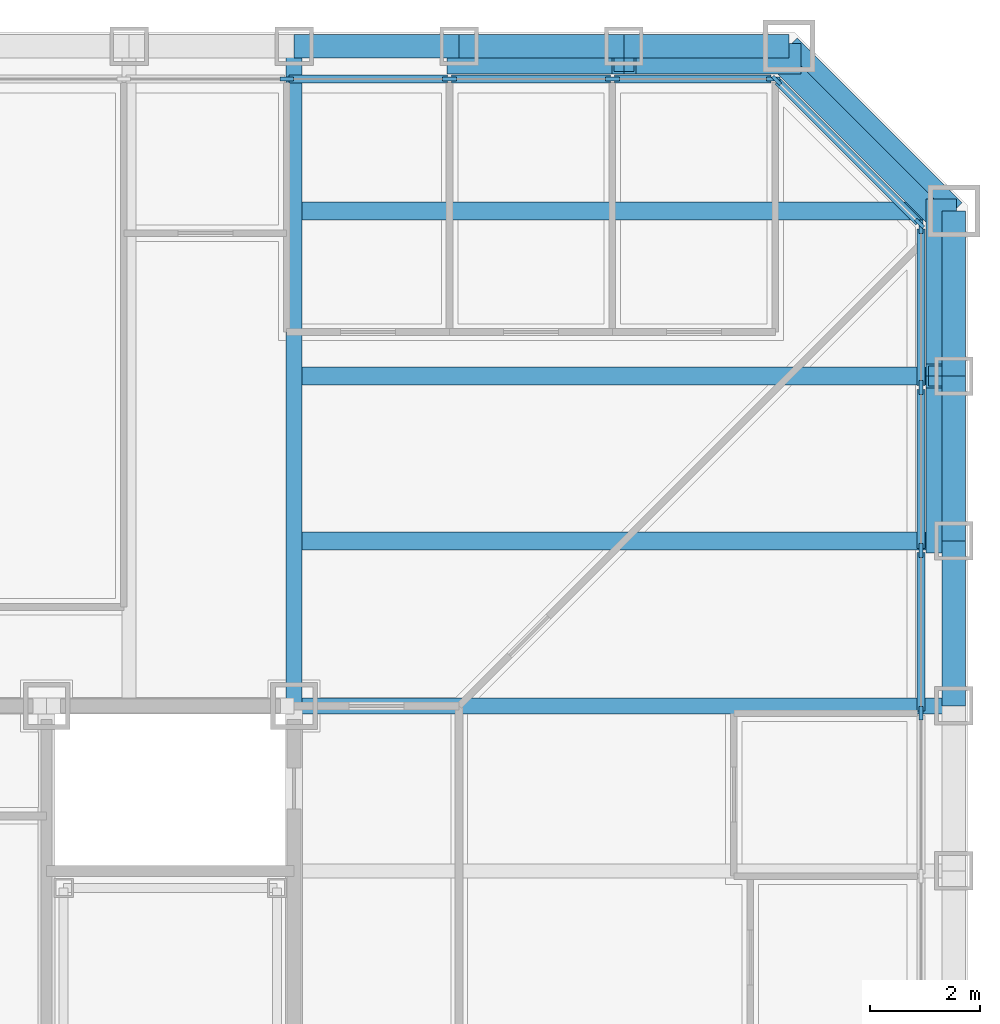
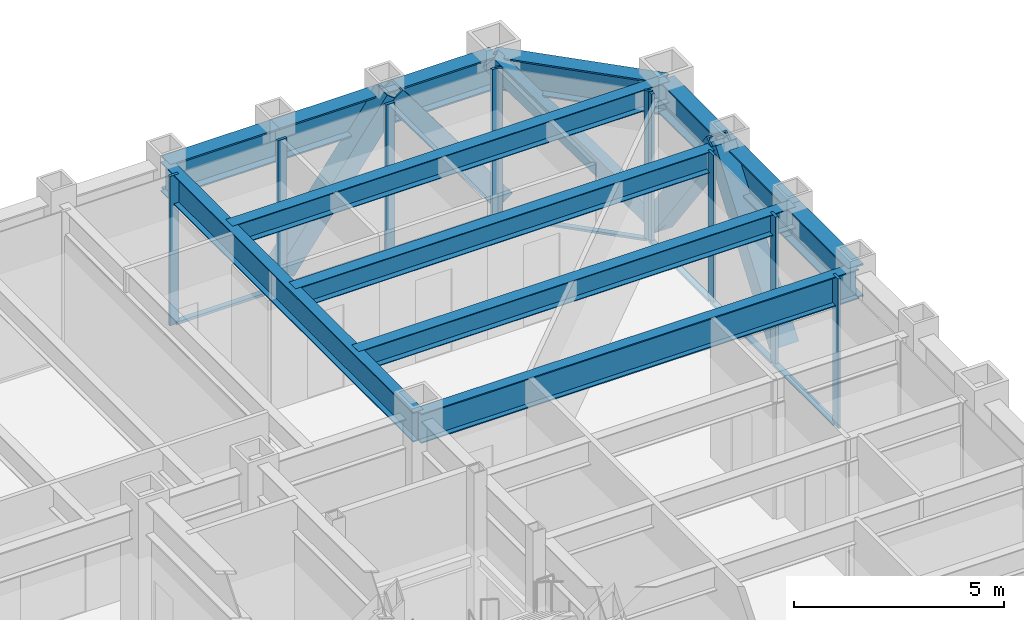
# One storey, part 6 of 16: 22 members, 12 beams, 3 elements without a shape of their own.
"""IFC4 building model written with IfcOpenShell, lengths in metres."""

from ifc_helpers import new_model, si_unit, direction, frame, origin, origin_2d, place, context, subcontext, project, spatial, rectangle, hollow_rectangle, i_section, extrude, material, layer, layer_set, material_profile, profile_set, type_object, element, aggregate, save


model = new_model("IFC4")

# Units and contexts
model_context = context("Model", 3, precision=1e-05, world=origin(), true_north=direction((0.0, 1.0)))
body_context = subcontext(model_context, "Body", "Model", "MODEL_VIEW")
ifc_project = project(units=[si_unit("LENGTHUNIT", "METRE"), si_unit("AREAUNIT", "SQUARE_METRE"), si_unit("VOLUMEUNIT", "CUBIC_METRE"), si_unit("PLANEANGLEUNIT", "RADIAN"), si_unit("MASSUNIT", "GRAM", prefix="KILO")], contexts=[model_context])

# Site, building, storey
site_placement = place(None, origin())
site = spatial("IfcSite", under=ifc_project, at=site_placement, CompositionType="ELEMENT")
building_placement = place(site_placement, origin())
building = spatial("IfcBuilding", under=site, at=building_placement, Name="Chuquiago Exchange Tower", CompositionType="ELEMENT")
storey_placement = place(building_placement, frame((0.0, 0.0, 28.800048828125)))
storey = spatial("IfcBuildingStorey", under=building, at=storey_placement, Name="L05", CompositionType="ELEMENT", Elevation=28.800048828125)

# Beams
ifc_material_1 = material(Name="Steel ASTM A992", Category="steel")
ifc_material_profile_1 = material_profile(ifc_material_1, i_section(OverallWidth=0.3251953125, OverallDepth=0.6171875, WebThickness=0.013916015625, FlangeThickness=0.021484375, at=origin_2d()), Name="W24X117")
ifc_profile_set_1 = profile_set([ifc_material_profile_1], Name="Steel ASTM A992")
beam_type_1 = type_object("IfcBeamType", Name="B5 W24X117", PredefinedType="BEAM", material=ifc_profile_set_1)
for number, where, z_axis, x_axis, name in (
    (1, (33.0, 36.0, 3.7314453125), (1.0, 0.0, 0.0), (0.0, 1.0, 0.0), "FB-L06-corner-33_36-45_36-0"),
    (2, (33.0, 39.0, 3.7314453125), (1.0, 0.0, 0.0), (0.0, 1.0, 0.0), "FB-L06-corner-33_39-45_39-0"),
    (3, (33.0, 42.0, 3.7314453125), (1.0, 0.0, 0.0), (0.0, 1.0, 0.0), "FB-L06-corner-33_42-45_42-0"),
):
    element("IfcBeam", number, at=place(storey_placement, frame(where, z_axis=z_axis, x_axis=x_axis)), inside=storey, type_object=beam_type_1, Name=name, PredefinedType="BEAM", context=body_context, shape_type="SweptSolid", body=[
        extrude(i_section(OverallWidth=0.3251953125, OverallDepth=0.6171875, WebThickness=0.013916015625, FlangeThickness=0.021484375, at=origin_2d()), origin(), (0.0, 0.0, 1.0), 12.0),
    ])

# Curtain wall, members
ifc_material_2 = material(Name="Aluminium curtain wall system", Category="aluminium")
ifc_layer_1 = layer(ifc_material_2, 0.25)
ifc_layer_set_1 = layer_set([ifc_layer_1], Name="CW1 trading floor curtain wall")
curtain_wall_type_1 = type_object("IfcCurtainWallType", Name="CW1 trading floor curtain wall", PredefinedType="NOTDEFINED", material=ifc_layer_set_1)
curtain_wall_1_placement = place(storey_placement, origin())
curtain_wall_1 = element("IfcCurtainWall", 4, at=curtain_wall_1_placement, inside=storey, type_object=curtain_wall_type_1, Name="CW1 curtain wall L05", PredefinedType="NOTDEFINED")
ifc_material_3 = material(Name="Aluminium mullion, pale anodised", Category="aluminium")
ifc_material_profile_2 = material_profile(ifc_material_3, rectangle(XDim=0.074951171875, YDim=0.25, at=origin_2d()), Name="AL 75x250")
ifc_profile_set_2 = profile_set([ifc_material_profile_2], Name="Aluminium mullion, pale anodised")
member_type_1 = type_object("IfcMemberType", Name="CW1-M mullion 75x250", PredefinedType="MULLION", material=ifc_profile_set_2)
member_1_placement = place(storey_placement, frame((44.39990234375, 32.8662109375, -0.300048828125), z_axis=(0.0, 0.0, 1.0), x_axis=(-1.0, 0.0, 0.0)))
member_1 = element("IfcMember", 5, at=member_1_placement, type_object=member_type_1, Name="CW1 mullion 11", PredefinedType="MULLION", context=body_context, shape_type="SweptSolid", body=[
    extrude(rectangle(XDim=0.074951171875, YDim=0.25, at=origin_2d()), origin(), (0.0, 0.0, 1.0), 4.340087890625),
])
member_2_placement = place(storey_placement, frame((44.39990234375, 35.827880859375, -0.300048828125), z_axis=(0.0, 0.0, 1.0), x_axis=(-1.0, 0.0, 0.0)))
member_2 = element("IfcMember", 6, at=member_2_placement, type_object=member_type_1, Name="CW1 mullion 12", PredefinedType="MULLION", context=body_context, shape_type="SweptSolid", body=[
    extrude(rectangle(XDim=0.074951171875, YDim=0.25, at=origin_2d()), origin(), (0.0, 0.0, 1.0), 4.340087890625),
])
member_3_placement = place(storey_placement, frame((44.39990234375, 38.789794921875, -0.300048828125), z_axis=(0.0, 0.0, 1.0), x_axis=(-1.0, 0.0, 0.0)))
member_3 = element("IfcMember", 7, at=member_3_placement, type_object=member_type_1, Name="CW1 mullion 13", PredefinedType="MULLION", context=body_context, shape_type="SweptSolid", body=[
    extrude(rectangle(XDim=0.074951171875, YDim=0.25, at=origin_2d()), origin(), (0.0, 0.0, 1.0), 4.340087890625),
])
member_4_placement = place(storey_placement, frame((44.39990234375, 41.714111328125, -0.300048828125), z_axis=(0.0, 0.0, 1.0), x_axis=(-1.0, 0.0, 0.0)))
member_4 = element("IfcMember", 8, at=member_4_placement, type_object=member_type_1, Name="CW1 mullion 14", PredefinedType="MULLION", context=body_context, shape_type="SweptSolid", body=[
    extrude(rectangle(XDim=0.074951171875, YDim=0.25, at=origin_2d()), origin(), (0.0, 0.0, 1.0), 4.340087890625),
])

curtain_wall_2_placement = place(storey_placement, origin())
curtain_wall_2 = element("IfcCurtainWall", 9, at=curtain_wall_2_placement, inside=storey, type_object=curtain_wall_type_1, Name="CW1 curtain wall L05", PredefinedType="NOTDEFINED")
member_5_placement = place(storey_placement, frame((41.714111328125, 44.39990234375, -0.300048828125), z_axis=(0.0, 0.0, 1.0), x_axis=(0.0, -1.0, 0.0)))
member_5 = element("IfcMember", 10, at=member_5_placement, type_object=member_type_1, Name="CW1 mullion 1", PredefinedType="MULLION", context=body_context, shape_type="SweptSolid", body=[
    extrude(rectangle(XDim=0.074951171875, YDim=0.25, at=origin_2d()), origin(), (0.0, 0.0, 1.0), 4.340087890625),
])
member_6_placement = place(storey_placement, frame((38.789794921875, 44.39990234375, -0.300048828125), z_axis=(0.0, 0.0, 1.0), x_axis=(0.0, -1.0, 0.0)))
member_6 = element("IfcMember", 11, at=member_6_placement, type_object=member_type_1, Name="CW1 mullion 2", PredefinedType="MULLION", context=body_context, shape_type="SweptSolid", body=[
    extrude(rectangle(XDim=0.074951171875, YDim=0.25, at=origin_2d()), origin(), (0.0, 0.0, 1.0), 4.340087890625),
])
member_7_placement = place(storey_placement, frame((35.827880859375, 44.39990234375, -0.300048828125), z_axis=(0.0, 0.0, 1.0), x_axis=(0.0, -1.0, 0.0)))
member_7 = element("IfcMember", 12, at=member_7_placement, type_object=member_type_1, Name="CW1 mullion 3", PredefinedType="MULLION", context=body_context, shape_type="SweptSolid", body=[
    extrude(rectangle(XDim=0.074951171875, YDim=0.25, at=origin_2d()), origin(), (0.0, 0.0, 1.0), 4.340087890625),
])
member_8_placement = place(storey_placement, frame((32.8662109375, 44.39990234375, -0.300048828125), z_axis=(0.0, 0.0, 1.0), x_axis=(0.0, -1.0, 0.0)))
member_8 = element("IfcMember", 13, at=member_8_placement, type_object=member_type_1, Name="CW1 mullion 4", PredefinedType="MULLION", context=body_context, shape_type="SweptSolid", body=[
    extrude(rectangle(XDim=0.074951171875, YDim=0.25, at=origin_2d()), origin(), (0.0, 0.0, 1.0), 4.340087890625),
])

# Member
ifc_material_4 = material(Name="Aluminium transom, pale anodised", Category="aluminium")
ifc_material_profile_3 = material_profile(ifc_material_4, rectangle(XDim=0.14990234375, YDim=0.074951171875, at=origin_2d()), Name="AL 150x75")
ifc_profile_set_3 = profile_set([ifc_material_profile_3], Name="Aluminium transom, pale anodised")
member_type_2 = type_object("IfcMemberType", Name="CW1-T transom 75x150", PredefinedType="MULLION", material=ifc_profile_set_3)
member_9_placement = place(storey_placement, frame((44.39990234375, 32.90380859375, -0.262451171875), z_axis=(0.0, 1.0, 0.0), x_axis=(-1.0, 0.0, 0.0)))
member_9 = element("IfcMember", 14, at=member_9_placement, type_object=member_type_2, Name="CW1 transom 11.1", PredefinedType="MULLION", context=body_context, shape_type="SweptSolid", body=[
    extrude(rectangle(XDim=0.14990234375, YDim=0.074951171875, at=origin_2d()), origin(), (0.0, 0.0, 1.0), 2.88671875),
])

member_10_placement = place(storey_placement, frame((44.39990234375, 35.865478515625, -0.262451171875), z_axis=(0.0, 1.0, 0.0), x_axis=(-1.0, 0.0, 0.0)))
member_10 = element("IfcMember", 15, at=member_10_placement, type_object=member_type_2, Name="CW1 transom 12.1", PredefinedType="MULLION", context=body_context, shape_type="SweptSolid", body=[
    extrude(rectangle(XDim=0.14990234375, YDim=0.074951171875, at=origin_2d()), origin(), (0.0, 0.0, 1.0), 2.88671875),
])

member_11_placement = place(storey_placement, frame((44.39990234375, 38.8271484375, -0.262451171875), z_axis=(0.0, 1.0, 0.0), x_axis=(-1.0, 0.0, 0.0)))
member_11 = element("IfcMember", 16, at=member_11_placement, type_object=member_type_2, Name="CW1 transom 13.1", PredefinedType="MULLION", context=body_context, shape_type="SweptSolid", body=[
    extrude(rectangle(XDim=0.14990234375, YDim=0.074951171875, at=origin_2d()), origin(), (0.0, 0.0, 1.0), 2.849365234375),
])

aggregate(curtain_wall_1, [member_1, member_2, member_3, member_4, member_9, member_10, member_11])

member_12_placement = place(storey_placement, frame((41.676513671875, 44.39990234375, -0.262451171875), z_axis=(-1.0, 0.0, 0.0), x_axis=(0.0, -1.0, 0.0)))
member_12 = element("IfcMember", 17, at=member_12_placement, type_object=member_type_2, Name="CW1 transom 1.1", PredefinedType="MULLION", context=body_context, shape_type="SweptSolid", body=[
    extrude(rectangle(XDim=0.14990234375, YDim=0.074951171875, at=origin_2d()), origin(), (0.0, 0.0, 1.0), 2.849365234375),
])

member_13_placement = place(storey_placement, frame((38.752197265625, 44.39990234375, -0.262451171875), z_axis=(-1.0, 0.0, 0.0), x_axis=(0.0, -1.0, 0.0)))
member_13 = element("IfcMember", 18, at=member_13_placement, type_object=member_type_2, Name="CW1 transom 2.1", PredefinedType="MULLION", context=body_context, shape_type="SweptSolid", body=[
    extrude(rectangle(XDim=0.14990234375, YDim=0.074951171875, at=origin_2d()), origin(), (0.0, 0.0, 1.0), 2.88671875),
])

member_14_placement = place(storey_placement, frame((35.79052734375, 44.39990234375, -0.262451171875), z_axis=(-1.0, 0.0, 0.0), x_axis=(0.0, -1.0, 0.0)))
member_14 = element("IfcMember", 19, at=member_14_placement, type_object=member_type_2, Name="CW1 transom 3.1", PredefinedType="MULLION", context=body_context, shape_type="SweptSolid", body=[
    extrude(rectangle(XDim=0.14990234375, YDim=0.074951171875, at=origin_2d()), origin(), (0.0, 0.0, 1.0), 2.88671875),
])

aggregate(curtain_wall_2, [member_5, member_6, member_7, member_8, member_12, member_13, member_14])

# Curtain wall, members
ifc_material_5 = material(Name="Aluminium curtain wall system", Category="aluminium")
ifc_layer_2 = layer(ifc_material_5, 0.199951171875)
ifc_layer_set_2 = layer_set([ifc_layer_2], Name="CW3 facet curtain wall")
curtain_wall_type_2 = type_object("IfcCurtainWallType", Name="CW3 facet curtain wall", PredefinedType="NOTDEFINED", material=ifc_layer_set_2)
curtain_wall_3_placement = place(storey_placement, origin())
curtain_wall_3 = element("IfcCurtainWall", 20, at=curtain_wall_3_placement, inside=storey, type_object=curtain_wall_type_2, Name="CW3 curtain wall L05", PredefinedType="NOTDEFINED")
ifc_material_6 = material(Name="Aluminium mullion, pale anodised", Category="aluminium")
ifc_material_profile_4 = material_profile(ifc_material_6, rectangle(XDim=0.06494140625, YDim=0.199951171875, at=origin_2d()), Name="AL 65x200")
ifc_profile_set_4 = profile_set([ifc_material_profile_4], Name="Aluminium mullion, pale anodised")
member_type_3 = type_object("IfcMemberType", Name="CW3-M mullion 65x200", PredefinedType="MULLION", material=ifc_profile_set_4)
member_15_placement = place(storey_placement, frame((44.376953125, 41.7744140625, -0.300048828125), z_axis=(0.0, 0.0, 1.0), x_axis=(-0.707106781187, -0.707106781187, 0.0)))
member_15 = element("IfcMember", 21, at=member_15_placement, type_object=member_type_3, Name="CW3 mullion 1", PredefinedType="MULLION", context=body_context, shape_type="SweptSolid", body=[
    extrude(rectangle(XDim=0.06494140625, YDim=0.199951171875, at=origin_2d()), origin(), (0.0, 0.0, 1.0), 4.340087890625),
])
member_16_placement = place(storey_placement, frame((41.7744140625, 44.376953125, -0.300048828125), z_axis=(0.0, 0.0, 1.0), x_axis=(-0.707106781187, -0.707106781187, 0.0)))
member_16 = element("IfcMember", 22, at=member_16_placement, type_object=member_type_3, Name="CW3 mullion 2", PredefinedType="MULLION", context=body_context, shape_type="SweptSolid", body=[
    extrude(rectangle(XDim=0.06494140625, YDim=0.199951171875, at=origin_2d()), origin(), (0.0, 0.0, 1.0), 4.340087890625),
])
ifc_material_7 = material(Name="Aluminium transom, pale anodised", Category="aluminium")
ifc_material_profile_5 = material_profile(ifc_material_7, rectangle(XDim=0.139892578125, YDim=0.06494140625, at=origin_2d()), Name="AL 140x65")
ifc_profile_set_5 = profile_set([ifc_material_profile_5], Name="Aluminium transom, pale anodised")
member_type_4 = type_object("IfcMemberType", Name="CW3-T transom 65x140", PredefinedType="MULLION", material=ifc_profile_set_5)
member_17_placement = place(storey_placement, frame((44.35400390625, 41.79736328125, -0.267578125), z_axis=(-0.707106781187, 0.707106781187, 0.0), x_axis=(-0.707106781187, -0.707106781187, 0.0)))
member_17 = element("IfcMember", 23, at=member_17_placement, type_object=member_type_4, Name="CW3 transom 1.1", PredefinedType="MULLION", context=body_context, shape_type="SweptSolid", body=[
    extrude(rectangle(XDim=0.139892578125, YDim=0.06494140625, at=origin_2d()), origin(), (0.0, 0.0, 1.0), 3.61572265625),
])
aggregate(curtain_wall_3, [member_15, member_16, member_17])

# Beams
ifc_material_8 = material(Name="Steel ASTM A992", Category="steel")
ifc_material_profile_6 = material_profile(ifc_material_8, i_section(OverallWidth=0.2919921875, OverallDepth=0.8583984375, WebThickness=0.01708984375, FlangeThickness=0.031005859375, at=origin_2d()), Name="W33X169")
ifc_profile_set_6 = profile_set([ifc_material_profile_6], Name="Steel ASTM A992")
beam_type_2 = type_object("IfcBeamType", Name="G2 W33X169", PredefinedType="BEAM", material=ifc_profile_set_6)
for number, where, z_axis, x_axis, name in (
    (24, (33.0, 33.0, 3.610595703125), (0.0, 1.0, 0.0), (-1.0, 0.0, 0.0), "FB-L06-girder-33_33-33_45-0"),
    (25, (33.0, 33.0, 3.610595703125), (1.0, 0.0, 0.0), (0.0, 1.0, 0.0), "FB-L06-girder-33_33-45_33-0"),
):
    element("IfcBeam", number, at=place(storey_placement, frame(where, z_axis=z_axis, x_axis=x_axis)), inside=storey, type_object=beam_type_2, Name=name, PredefinedType="BEAM", context=body_context, shape_type="SweptSolid", body=[
        extrude(i_section(OverallWidth=0.2919921875, OverallDepth=0.8583984375, WebThickness=0.01708984375, FlangeThickness=0.031005859375, at=origin_2d()), origin(), (0.0, 0.0, 1.0), 12.0),
    ])

# Members
ifc_material_9 = material(Name="Steel ASTM A500 Grade C", Category="steel")
ifc_material_profile_7 = material_profile(ifc_material_9, hollow_rectangle(XDim=0.406494140625, YDim=0.406494140625, WallThickness=0.0146484375, at=origin_2d()), Name="HSS16X16X5/8")
ifc_profile_set_7 = profile_set([ifc_material_profile_7], Name="Steel ASTM A500 Grade C")
member_type_5 = type_object("IfcMemberType", Name="LB4 HSS16X16X5/8", PredefinedType="BRACE", material=ifc_profile_set_7)
member_18_placement = place(storey_placement, frame((44.78662109375, 41.78662109375, 0.0), z_axis=(-0.512077265487, 0.512077265487, 0.689604051861), x_axis=(-0.707106781187, -0.707106781187, 0.0)))
element("IfcMember", 26, at=member_18_placement, inside=storey, type_object=member_type_5, Name="LB-L05-45_42-42_45", PredefinedType="BRACE", context=body_context, shape_type="SweptSolid", body=[
    extrude(hollow_rectangle(XDim=0.406494140625, YDim=0.406494140625, WallThickness=0.0146484375, at=origin_2d()), origin(), (0.0, 0.0, 1.0), 5.8583984375),
])
ifc_material_10 = material(Name="Steel ASTM A572 Grade 50", Category="steel")
ifc_material_profile_8 = material_profile(ifc_material_10, hollow_rectangle(XDim=0.550048828125, YDim=0.550048828125, WallThickness=0.044921875, at=origin_2d()), Name="BOX550X550X45")
ifc_profile_set_8 = profile_set([ifc_material_profile_8], Name="Steel ASTM A572 Grade 50")
member_type_6 = type_object("IfcMemberType", Name="MB1 BOX550X550X45", PredefinedType="BRACE", material=ifc_profile_set_8)
for number, where, z_axis, x_axis, name in (
    (27, (44.77001953125, 36.0, 0.0), (0.0, 0.596173923302, 0.802855312728), (-1.0, 0.0, 0.0), "Mega diagonal L05 E face"),
    (28, (44.77001953125, 42.0, 0.0), (0.0, -0.596173923302, 0.802855312728), (1.0, 0.0, 0.0), "Mega diagonal L05 E face"),
    (29, (42.0, 44.77001953125, 0.0), (-0.596173923302, 0.0, 0.802855312728), (0.0, -1.0, 0.0), "Mega diagonal L05 N face"),
    (30, (36.0, 44.77001953125, 0.0), (0.596173923302, 0.0, 0.802855312728), (0.0, 1.0, 0.0), "Mega diagonal L05 N face"),
):
    element("IfcMember", number, at=place(storey_placement, frame(where, z_axis=z_axis, x_axis=x_axis)), inside=storey, type_object=member_type_6, Name=name, PredefinedType="BRACE", context=body_context, shape_type="SweptSolid", body=[
        extrude(hollow_rectangle(XDim=0.550048828125, YDim=0.550048828125, WallThickness=0.044921875, at=origin_2d()), origin(), (0.0, 0.0, 1.0), 5.031982421875),
    ])

# Beams
ifc_material_11 = material(Name="Steel ASTM A992", Category="steel")
ifc_material_profile_9 = material_profile(ifc_material_11, i_section(OverallWidth=0.424072265625, OverallDepth=0.947509765625, WebThickness=0.02392578125, FlangeThickness=0.042724609375, at=origin_2d()), Name="W36X302")
ifc_profile_set_9 = profile_set([ifc_material_profile_9], Name="Steel ASTM A992")
beam_type_3 = type_object("IfcBeamType", Name="SP1 W36X302", PredefinedType="SPANDREL", material=ifc_profile_set_9)
for number, where, z_axis, x_axis, name in (
    (31, (45.0, 33.0, 3.566162109375), (0.0, 1.0, 0.0), (-1.0, 0.0, 0.0), "SPB-L06-45_33-45_36"),
    (32, (45.0, 36.0, 3.566162109375), (0.0, 1.0, 0.0), (-1.0, 0.0, 0.0), "SPB-L06-45_36-45_39"),
    (33, (45.0, 39.0, 3.566162109375), (0.0, 1.0, 0.0), (-1.0, 0.0, 0.0), "SPB-L06-45_39-45_42"),
):
    element("IfcBeam", number, at=place(storey_placement, frame(where, z_axis=z_axis, x_axis=x_axis)), inside=storey, type_object=beam_type_3, Name=name, PredefinedType="SPANDREL", context=body_context, shape_type="SweptSolid", body=[
        extrude(i_section(OverallWidth=0.424072265625, OverallDepth=0.947509765625, WebThickness=0.02392578125, FlangeThickness=0.042724609375, at=origin_2d()), origin(), (0.0, 0.0, 1.0), 3.0),
    ])
beam_placement = place(storey_placement, frame((45.0, 42.0, 3.566162109375), z_axis=(-0.707106781187, 0.707106781187, 0.0), x_axis=(-0.707106781187, -0.707106781187, 0.0)))
element("IfcBeam", 34, at=beam_placement, inside=storey, type_object=beam_type_3, Name="SPB-L06-45_42-42_45", PredefinedType="SPANDREL", context=body_context, shape_type="SweptSolid", body=[
    extrude(i_section(OverallWidth=0.424072265625, OverallDepth=0.947509765625, WebThickness=0.02392578125, FlangeThickness=0.042724609375, at=origin_2d()), origin(), (0.0, 0.0, 1.0), 4.24267578125),
])
for number, where, z_axis, x_axis, name in (
    (35, (42.0, 45.0, 3.566162109375), (-1.0, 0.0, 0.0), (0.0, -1.0, 0.0), "SPB-L06-42_45-39_45"),
    (36, (39.0, 45.0, 3.566162109375), (-1.0, 0.0, 0.0), (0.0, -1.0, 0.0), "SPB-L06-39_45-36_45"),
    (37, (36.0, 45.0, 3.566162109375), (-1.0, 0.0, 0.0), (0.0, -1.0, 0.0), "SPB-L06-36_45-33_45"),
):
    element("IfcBeam", number, at=place(storey_placement, frame(where, z_axis=z_axis, x_axis=x_axis)), inside=storey, type_object=beam_type_3, Name=name, PredefinedType="SPANDREL", context=body_context, shape_type="SweptSolid", body=[
        extrude(i_section(OverallWidth=0.424072265625, OverallDepth=0.947509765625, WebThickness=0.02392578125, FlangeThickness=0.042724609375, at=origin_2d()), origin(), (0.0, 0.0, 1.0), 3.0),
    ])

save(model, "model.ifc")
